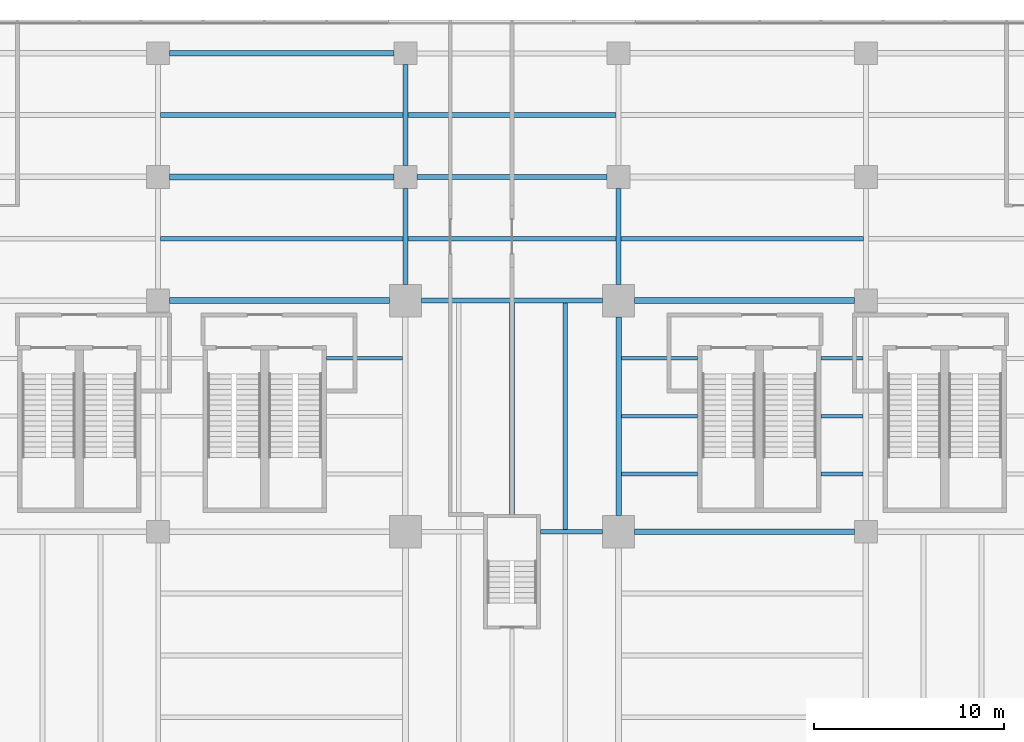
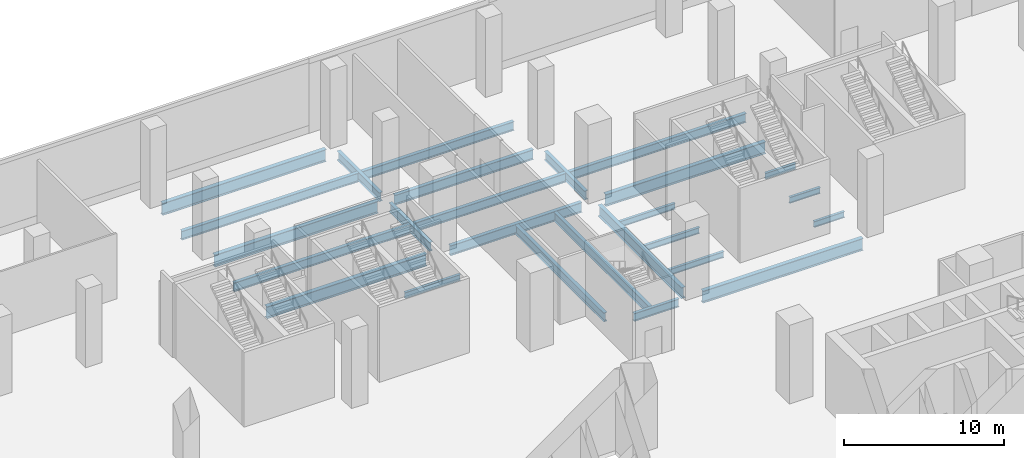
# One storey, part 24 of 41: 26 beams.
"""IFC4 building model written with IfcOpenShell, lengths in metres."""

import ifcopenshell
import ifcopenshell.guid

model = None  # the IFC model being written
_history = None  # IfcOwnerHistory: only IFC2X3 demands one
_inside = {}  # id of a spatial element -> (the spatial element, [elements in it])
_under = {}  # id of a project, library or spatial element -> (it, [spatial elements below it])
_declared = {}  # id of a project -> (the project, [libraries it declares])
_typed = {}  # id of a type object -> (the type object, [elements of that type])
_made_of = {}  # id of a material, layer set ... -> (it, [elements and type objects made of it])


def new_model(schema):
    """Start an empty IFC model of exactly this schema.

    Asked for "IFC4X3", IfcOpenShell would pick the latest addendum, in which some entities
    have other attributes; the version numbers below select the first issue.
    IFC2X3 requires an IfcOwnerHistory on every rooted entity: one is made here for all.
    """
    global model, _history
    if schema == "IFC4X3":
        model = ifcopenshell.file(schema_version=(4, 3, 0, 0))
    else:
        model = ifcopenshell.file(schema=schema)
    _inside.clear()
    _under.clear()
    _declared.clear()
    _typed.clear()
    _made_of.clear()
    _history = None
    if model.schema == "IFC2X3":
        org = make("IfcOrganization", Name="unknown")
        user = make(
            "IfcPersonAndOrganization",
            ThePerson=make("IfcPerson", FamilyName="unknown"),
            TheOrganization=org,
        )
        app = make(
            "IfcApplication",
            ApplicationDeveloper=org,
            Version="unknown",
            ApplicationFullName="unknown",
            ApplicationIdentifier="unknown",
        )
        _history = make(
            "IfcOwnerHistory",
            OwningUser=user,
            OwningApplication=app,
            ChangeAction="ADDED",
            CreationDate=0,
        )
    return model


def make(cls, **values):
    """One entity of the class cls with the attributes given. An attribute that is None is left unset."""
    return model.create_entity(
        cls, **{name: value for name, value in values.items() if value is not None}
    )


def rooted(cls, **values):
    """An entity with a GlobalId (a new one), such as an element, a storey or a relation."""
    return make(cls, GlobalId=ifcopenshell.guid.new(), OwnerHistory=_history, **values)


def si_unit(unit_type, name, prefix=None):
    """IfcSIUnit, for example si_unit("LENGTHUNIT", "METRE", prefix="MILLI")."""
    return make("IfcSIUnit", UnitType=unit_type, Prefix=prefix, Name=name)


def assignment(units):
    """IfcUnitAssignment: the units of a project."""
    return None if units is None else make("IfcUnitAssignment", Units=units)


def point(xyz):
    """IfcCartesianPoint."""
    return None if xyz is None else make("IfcCartesianPoint", Coordinates=xyz)


def direction(xyz):
    """IfcDirection."""
    return None if xyz is None else make("IfcDirection", DirectionRatios=xyz)


def frame(location, z_axis=None, x_axis=None):
    """IfcAxis2Placement3D, a coordinate frame: its origin and axes. An axis left out is left unset."""
    return make(
        "IfcAxis2Placement3D",
        Location=point(location),
        Axis=direction(z_axis),
        RefDirection=direction(x_axis),
    )


def frame_2d(location, x_axis=None):
    """IfcAxis2Placement2D, a coordinate frame in the plane: its origin and x axis."""
    return make(
        "IfcAxis2Placement2D", Location=point(location), RefDirection=direction(x_axis)
    )


def origin():
    """The frame at (0, 0, 0) with its axes left unset."""
    return frame((0.0, 0.0, 0.0))


def origin_2d():
    """The frame at (0, 0) in the plane with its x axis left unset."""
    return frame_2d((0.0, 0.0))


def place(relative_to, where):
    """IfcLocalPlacement: puts the frame where relative to a parent placement (None: the world)."""
    return make(
        "IfcLocalPlacement", PlacementRelTo=relative_to, RelativePlacement=where
    )


def context(
    kind, dimensions, precision=None, world=None, true_north=None, identifier=None
):
    """IfcGeometricRepresentationContext, for example the 3D "Model" context."""
    return make(
        "IfcGeometricRepresentationContext",
        ContextIdentifier=identifier,
        ContextType=kind,
        CoordinateSpaceDimension=dimensions,
        Precision=precision,
        WorldCoordinateSystem=world,
        TrueNorth=true_north,
    )


def subcontext(parent, identifier, kind, view, scale=None):
    """IfcGeometricRepresentationSubContext, for example "Body" below "Model"."""
    return make(
        "IfcGeometricRepresentationSubContext",
        ContextIdentifier=identifier,
        ContextType=kind,
        ParentContext=parent,
        TargetScale=scale,
        TargetView=view,
    )


def project(units=None, contexts=None):
    """IfcProject with its units and contexts."""
    return rooted(
        "IfcProject",
        Name="project",
        RepresentationContexts=contexts,
        UnitsInContext=assignment(units),
    )


def spatial(cls, under=None, at=None, **own):
    """A site, building, storey or space (cls), placed at a placement, below another one or the project."""
    s = rooted(cls, ObjectPlacement=at, **own)
    if under is not None:
        _under.setdefault(under.id(), (under, []))[1].append(s)
    return s


def profile(cls, at=None, kind="AREA", **sizes):
    """A parametric profile (cls). Its sizes go by their IFC names, for example OverallWidth=200.0."""
    return make(cls, ProfileType=kind, Position=at, **sizes)


def i_section(**sizes):
    """IfcIShapeProfileDef."""
    return profile("IfcIShapeProfileDef", **sizes)


def extrude(swept, where, along, depth):
    """IfcExtrudedAreaSolid: the profile swept, set in the frame where, extruded along a direction by depth."""
    return make(
        "IfcExtrudedAreaSolid",
        SweptArea=swept,
        Position=where,
        ExtrudedDirection=direction(along),
        Depth=depth,
    )


def shape(context_of_items, identifier, shape_type, items):
    """IfcShapeRepresentation: the items that make up one representation, for example the "Body"."""
    return make(
        "IfcShapeRepresentation",
        ContextOfItems=context_of_items,
        RepresentationIdentifier=identifier,
        RepresentationType=shape_type,
        Items=items,
    )


def source(mapping_origin, context_of_items, identifier, shape_type, items):
    """IfcRepresentationMap: a shape defined once, which mapped items show again and again."""
    return make(
        "IfcRepresentationMap",
        MappingOrigin=mapping_origin,
        MappedRepresentation=shape(context_of_items, identifier, shape_type, items),
    )


def transform(
    local_origin,
    x_axis=None,
    y_axis=None,
    z_axis=None,
    scale=None,
    scale2=None,
    scale3=None,
    uniform=True,
):
    """IfcCartesianTransformationOperator3D, or its non-uniform kind. x_axis, y_axis, z_axis: its Axis1, 2, 3."""
    if uniform:
        return make(
            "IfcCartesianTransformationOperator3D",
            Axis1=direction(x_axis),
            Axis2=direction(y_axis),
            LocalOrigin=point(local_origin),
            Scale=scale,
            Axis3=direction(z_axis),
        )
    return make(
        "IfcCartesianTransformationOperator3DnonUniform",
        Axis1=direction(x_axis),
        Axis2=direction(y_axis),
        LocalOrigin=point(local_origin),
        Scale=scale,
        Axis3=direction(z_axis),
        Scale2=scale2,
        Scale3=scale3,
    )


def mapped(mapping_source, mapping_target):
    """IfcMappedItem: shows the shape of a source again, moved by a transform."""
    return make(
        "IfcMappedItem", MappingSource=mapping_source, MappingTarget=mapping_target
    )


def material(Name=None, Category=None):
    """IfcMaterial."""
    return make("IfcMaterial", Name=Name, Category=Category)


def material_profile(
    of_material, cross_section, Name=None, Category=None, Priority=None
):
    """IfcMaterialProfile: a cross section and its material."""
    return make(
        "IfcMaterialProfile",
        Name=Name,
        Material=of_material,
        Profile=cross_section,
        Priority=Priority,
        Category=Category,
    )


def profile_set(profiles, Name=None, composite=None):
    """IfcMaterialProfileSet."""
    return make(
        "IfcMaterialProfileSet",
        Name=Name,
        MaterialProfiles=profiles,
        CompositeProfile=composite,
    )


def made_of(thing, what):
    """Note that an element or type object is made of a material, layer set ...; save() writes the relation."""
    if what is not None:
        _made_of.setdefault(what.id(), (what, []))[1].append(thing)
    return thing


def type_object(cls, material=None, **own):
    """A type object (cls), such as IfcWallType, which elements share."""
    return made_of(rooted(cls, **own), material)


def element(
    cls,
    number,
    at=None,
    inside=None,
    cuts=None,
    type_object=None,
    material=None,
    context=None,
    identifier="Body",
    shape_type=None,
    held_by="IfcProductDefinitionShape",
    body=None,
    shapes=None,
    **own,
):
    """One element of the class cls, such as IfcWall. Its Tag is "e" and its number.

    at: its placement. inside: the storey or other place that contains it. cuts: it is an
    opening in that element (IfcRelVoidsElement). A single representation is given by context,
    identifier, shape_type and body (its items); several are given by shapes. held_by: the class
    of the entity that holds the representations. save() writes the other relations.
    """
    e = rooted(cls, Tag="e%d" % number, ObjectPlacement=at, **own)
    if body is not None:
        shapes = [shape(context, identifier, shape_type, body)]
    if shapes is not None:
        e.Representation = make(held_by, Representations=shapes)
    if inside is not None:
        _inside.setdefault(inside.id(), (inside, []))[1].append(e)
    if cuts is not None:
        rooted(
            "IfcRelVoidsElement", RelatingBuildingElement=cuts, RelatedOpeningElement=e
        )
    if type_object is not None:
        _typed.setdefault(type_object.id(), (type_object, []))[1].append(e)
    return made_of(e, material)


def aggregate(whole, parts):
    """IfcRelAggregates: a whole, such as a stair, and the parts it consists of."""
    return rooted("IfcRelAggregates", RelatingObject=whole, RelatedObjects=parts)


def save(model, path):
    """Write the relations noted so far, then the file.

    IfcRelAggregates (storeys below a building ...), IfcRelContainedInSpatialStructure (elements
    in a storey), IfcRelDefinesByType, IfcRelAssociatesMaterial and IfcRelDeclares: one each for
    every whole, place, type object, material and project.
    """
    for whole, parts in _under.values():
        aggregate(whole, parts)
    for where, things in _inside.values():
        rooted(
            "IfcRelContainedInSpatialStructure",
            RelatedElements=things,
            RelatingStructure=where,
        )
    for kind, things in _typed.values():
        rooted("IfcRelDefinesByType", RelatedObjects=things, RelatingType=kind)
    for what, things in _made_of.values():
        rooted("IfcRelAssociatesMaterial", RelatedObjects=things, RelatingMaterial=what)
    for by, libraries in _declared.values():
        rooted("IfcRelDeclares", RelatingContext=by, RelatedDefinitions=libraries)
    model.write(path)


model = new_model("IFC4")

# Units and contexts
model_context = context("Model", 3, precision=1e-05, world=origin(), true_north=direction((0.0, 1.0)))
body_context = subcontext(model_context, "Body", "Model", "MODEL_VIEW")
ifc_project = project(units=[si_unit("LENGTHUNIT", "METRE"), si_unit("AREAUNIT", "SQUARE_METRE"), si_unit("VOLUMEUNIT", "CUBIC_METRE"), si_unit("PLANEANGLEUNIT", "RADIAN"), si_unit("MASSUNIT", "GRAM", prefix="KILO")], contexts=[model_context])

# Site, building, storey
site_placement = place(None, origin())
site = spatial("IfcSite", under=ifc_project, at=site_placement, CompositionType="ELEMENT")
building_placement = place(site_placement, origin())
building = spatial("IfcBuilding", under=site, at=building_placement, Name="Trellis Farm Tower", CompositionType="ELEMENT")
storey_placement = place(building_placement, frame((0.0, 0.0, 8.0)))
storey = spatial("IfcBuildingStorey", under=building, at=storey_placement, Name="L01", CompositionType="ELEMENT", Elevation=8.0)

# Beams
ifc_material = material(Name="Steel S355", Category="steel")
ifc_material_profile_1 = material_profile(ifc_material, i_section(OverallWidth=0.253662109375, OverallDepth=0.68359375, WebThickness=0.012451171875, FlangeThickness=0.021728515625, FilletRadius=0.01513671875, at=origin_2d()), Name="UB 686x254x140")
ifc_profile_set_1 = profile_set([ifc_material_profile_1], Name="Steel S355")
beam_type_1 = type_object("IfcBeamType", Name="UB 686x254x140", PredefinedType="BEAM", material=ifc_profile_set_1)
shared_shape_1 = source(origin(), body_context, "Body", "SweptSolid", [
    extrude(i_section(OverallWidth=0.253662109375, OverallDepth=0.68359375, WebThickness=0.012451171875, FlangeThickness=0.021728515625, FilletRadius=0.01513671875, at=origin_2d()), origin(), (0.0, 0.0, 1.0), 5.2998046875),
])
beam_1_placement = place(storey_placement, frame((-5.60009765625, 37.85009765625, -0.641845703125), z_axis=(0.0, 1.0, 0.0), x_axis=(-1.0, 0.0, 0.0)))
element("IfcBeam", 1, at=beam_1_placement, inside=storey, type_object=beam_type_1, Name="Girder", PredefinedType="BEAM", context=body_context, shape_type="MappedRepresentation", body=[
    mapped(shared_shape_1, transform((0.0, 0.0, 0.0))),
])
ifc_material_profile_2 = material_profile(ifc_material, i_section(OverallWidth=0.305419921875, OverallDepth=0.91845703125, WebThickness=0.017333984375, FlangeThickness=0.02783203125, FilletRadius=0.01904296875, at=origin_2d()), Name="UB 914x305x253")
ifc_profile_set_2 = profile_set([ifc_material_profile_2], Name="Steel S355")
beam_type_2 = type_object("IfcBeamType", Name="UB 914x305x253", PredefinedType="BEAM", material=ifc_profile_set_2)
shared_shape_2 = source(origin(), body_context, "Body", "SweptSolid", [
    extrude(i_section(OverallWidth=0.305419921875, OverallDepth=0.91845703125, WebThickness=0.017333984375, FlangeThickness=0.02783203125, FilletRadius=0.01904296875, at=origin_2d()), origin(), (0.0, 0.0, 1.0), 11.800048828125),
])
for number, where, z_axis, x_axis, name in (
    (2, (-18.0, 37.25, -0.75927734375), (1.0, 0.0, 0.0), (0.0, 1.0, 0.0), "Girder"),
    (3, (-18.0, 43.75, -0.75927734375), (1.0, 0.0, 0.0), (0.0, 1.0, 0.0), "Girder"),
):
    element("IfcBeam", number, at=place(storey_placement, frame(where, z_axis=z_axis, x_axis=x_axis)), inside=storey, type_object=beam_type_2, Name=name, PredefinedType="BEAM", context=body_context, shape_type="MappedRepresentation", body=[
        mapped(shared_shape_2, transform((0.0, 0.0, 0.0))),
    ])
ifc_material_profile_3 = material_profile(ifc_material, i_section(OverallWidth=0.2666015625, OverallDepth=0.76220703125, WebThickness=0.014404296875, FlangeThickness=0.021484375, FilletRadius=0.0166015625, at=origin_2d()), Name="UB 762x267x173")
ifc_profile_set_3 = profile_set([ifc_material_profile_3], Name="Steel S355")
beam_type_3 = type_object("IfcBeamType", Name="UB 762x267x173", PredefinedType="BEAM", material=ifc_profile_set_3)
shared_shape_3 = source(origin(), body_context, "Body", "SweptSolid", [
    extrude(i_section(OverallWidth=0.2666015625, OverallDepth=0.76220703125, WebThickness=0.014404296875, FlangeThickness=0.021484375, FilletRadius=0.0166015625, at=origin_2d()), origin(), (0.0, 0.0, 1.0), 10.0),
])
beam_2_placement = place(storey_placement, frame((-5.0, 37.25, -0.68115234375), z_axis=(1.0, 0.0, 0.0), x_axis=(0.0, 1.0, 0.0)))
element("IfcBeam", 4, at=beam_2_placement, inside=storey, type_object=beam_type_3, Name="Girder", PredefinedType="BEAM", context=body_context, shape_type="MappedRepresentation", body=[
    mapped(shared_shape_3, transform((0.0, 0.0, 0.0))),
])
shared_shape_4 = source(origin(), body_context, "Body", "SweptSolid", [
    extrude(i_section(OverallWidth=0.305419921875, OverallDepth=0.91845703125, WebThickness=0.017333984375, FlangeThickness=0.02783203125, FilletRadius=0.01904296875, at=origin_2d()), origin(), (0.0, 0.0, 1.0), 11.550048828125),
])
for number, where, z_axis, x_axis, name in (
    (5, (6.449951171875, 18.60009765625, -0.75927734375), (1.0, 0.0, 0.0), (0.0, 1.0, 0.0), "Girder"),
    (6, (-18.0, 30.75, -0.75927734375), (1.0, 0.0, 0.0), (0.0, 1.0, 0.0), "Girder"),
    (7, (6.449951171875, 30.75, -0.75927734375), (1.0, 0.0, 0.0), (0.0, 1.0, 0.0), "Girder"),
):
    element("IfcBeam", number, at=place(storey_placement, frame(where, z_axis=z_axis, x_axis=x_axis)), inside=storey, type_object=beam_type_2, Name=name, PredefinedType="BEAM", context=body_context, shape_type="MappedRepresentation", body=[
        mapped(shared_shape_4, transform((0.0, 0.0, 0.0))),
    ])
ifc_material_profile_4 = material_profile(ifc_material, i_section(OverallWidth=0.22900390625, OverallDepth=0.6123046875, WebThickness=0.011962890625, FlangeThickness=0.01953125, FilletRadius=0.0126953125, at=origin_2d()), Name="UB 610x229x125")
ifc_profile_set_4 = profile_set([ifc_material_profile_4], Name="Steel S355")
beam_type_4 = type_object("IfcBeamType", Name="UB 610x229x125", PredefinedType="BEAM", material=ifc_profile_set_4)
shared_shape_5 = source(origin(), body_context, "Body", "SweptSolid", [
    extrude(i_section(OverallWidth=0.22900390625, OverallDepth=0.6123046875, WebThickness=0.011962890625, FlangeThickness=0.01953125, FilletRadius=0.0126953125, at=origin_2d()), origin(), (0.0, 0.0, 1.0), 3.25),
])
beam_3_placement = place(storey_placement, frame((1.5, 18.60009765625, -0.606201171875), z_axis=(1.0, 0.0, 0.0), x_axis=(0.0, 1.0, 0.0)))
element("IfcBeam", 8, at=beam_3_placement, inside=storey, type_object=beam_type_4, Name="Girder", PredefinedType="BEAM", context=body_context, shape_type="MappedRepresentation", body=[
    mapped(shared_shape_5, transform((0.0, 0.0, 0.0))),
])
shared_shape_6 = source(origin(), body_context, "Body", "SweptSolid", [
    extrude(i_section(OverallWidth=0.2666015625, OverallDepth=0.76220703125, WebThickness=0.014404296875, FlangeThickness=0.021484375, FilletRadius=0.0166015625, at=origin_2d()), origin(), (0.0, 0.0, 1.0), 9.5),
])
beam_4_placement = place(storey_placement, frame((-4.75, 30.75, -0.68115234375), z_axis=(1.0, 0.0, 0.0), x_axis=(0.0, 1.0, 0.0)))
element("IfcBeam", 9, at=beam_4_placement, inside=storey, type_object=beam_type_3, Name="Girder", PredefinedType="BEAM", context=body_context, shape_type="MappedRepresentation", body=[
    mapped(shared_shape_6, transform((0.0, 0.0, 0.0))),
])
shared_shape_7 = source(origin(), body_context, "Body", "SweptSolid", [
    extrude(i_section(OverallWidth=0.253662109375, OverallDepth=0.68359375, WebThickness=0.012451171875, FlangeThickness=0.021728515625, FilletRadius=0.01513671875, at=origin_2d()), origin(), (0.0, 0.0, 1.0), 5.0498046875),
])
for number, where, z_axis, x_axis, name in (
    (10, (-5.60009765625, 31.60009765625, -0.641845703125), (0.0, 1.0, 0.0), (-1.0, 0.0, 0.0), "Girder"),
    (11, (5.60009765625, 31.60009765625, -0.641845703125), (0.0, 1.0, 0.0), (-1.0, 0.0, 0.0), "Girder"),
):
    element("IfcBeam", number, at=place(storey_placement, frame(where, z_axis=z_axis, x_axis=x_axis)), inside=storey, type_object=beam_type_1, Name=name, PredefinedType="BEAM", context=body_context, shape_type="MappedRepresentation", body=[
        mapped(shared_shape_7, transform((0.0, 0.0, 0.0))),
    ])
ifc_material_profile_5 = material_profile(ifc_material, i_section(OverallWidth=0.29248046875, OverallDepth=0.8408203125, WebThickness=0.0146484375, FlangeThickness=0.021728515625, FilletRadius=0.017822265625, at=origin_2d()), Name="UB 838x292x194")
ifc_profile_set_5 = profile_set([ifc_material_profile_5], Name="Steel S355")
beam_type_5 = type_object("IfcBeamType", Name="UB 838x292x194", PredefinedType="BEAM", material=ifc_profile_set_5)
shared_shape_8 = source(origin(), body_context, "Body", "SweptSolid", [
    extrude(i_section(OverallWidth=0.29248046875, OverallDepth=0.8408203125, WebThickness=0.0146484375, FlangeThickness=0.021728515625, FilletRadius=0.017822265625, at=origin_2d()), origin(), (0.0, 0.0, 1.0), 10.449951171875),
])
beam_5_placement = place(storey_placement, frame((5.60009765625, 19.449951171875, -0.72021484375), z_axis=(0.0, 1.0, 0.0), x_axis=(-1.0, 0.0, 0.0)))
element("IfcBeam", 12, at=beam_5_placement, inside=storey, type_object=beam_type_5, Name="Girder", PredefinedType="BEAM", context=body_context, shape_type="MappedRepresentation", body=[
    mapped(shared_shape_8, transform((0.0, 0.0, 0.0))),
])
ifc_material_profile_6 = material_profile(ifc_material, i_section(OverallWidth=0.253662109375, OverallDepth=0.68359375, WebThickness=0.012451171875, FlangeThickness=0.021728515625, FilletRadius=0.01513671875, at=origin_2d()), Name="UB 686x254x140")
ifc_profile_set_6 = profile_set([ifc_material_profile_6], Name="Steel S355")
beam_type_6 = type_object("IfcBeamType", Name="UB 686x254x140 joist", PredefinedType="JOIST", material=ifc_profile_set_6)
shared_shape_9 = source(origin(), body_context, "Body", "SweptSolid", [
    extrude(i_section(OverallWidth=0.253662109375, OverallDepth=0.68359375, WebThickness=0.012451171875, FlangeThickness=0.021728515625, FilletRadius=0.01513671875, at=origin_2d()), origin(), (0.0, 0.0, 1.0), 12.746337890625),
])
for number, where, z_axis, x_axis, name in (
    (13, (-18.47314453125, 34.0, -0.641845703125), (1.0, 0.0, 0.0), (0.0, 1.0, 0.0), "Floor beam"),
    (14, (5.726806640625, 34.0, -0.641845703125), (1.0, 0.0, 0.0), (0.0, 1.0, 0.0), "Floor beam"),
    (15, (-18.47314453125, 40.5, -0.641845703125), (1.0, 0.0, 0.0), (0.0, 1.0, 0.0), "Floor beam"),
):
    element("IfcBeam", number, at=place(storey_placement, frame(where, z_axis=z_axis, x_axis=x_axis)), inside=storey, type_object=beam_type_6, Name=name, PredefinedType="JOIST", context=body_context, shape_type="MappedRepresentation", body=[
        mapped(shared_shape_9, transform((0.0, 0.0, 0.0))),
    ])
shared_shape_10 = source(origin(), body_context, "Body", "SweptSolid", [
    extrude(i_section(OverallWidth=0.253662109375, OverallDepth=0.68359375, WebThickness=0.012451171875, FlangeThickness=0.021728515625, FilletRadius=0.01513671875, at=origin_2d()), origin(), (0.0, 0.0, 1.0), 10.9462890625),
])
for number, where, z_axis, x_axis, name in (
    (16, (-5.47314453125, 34.0, -0.641845703125), (1.0, 0.0, 0.0), (0.0, 1.0, 0.0), "Floor beam"),
    (17, (-5.47314453125, 40.5, -0.641845703125), (1.0, 0.0, 0.0), (0.0, 1.0, 0.0), "Floor beam"),
):
    element("IfcBeam", number, at=place(storey_placement, frame(where, z_axis=z_axis, x_axis=x_axis)), inside=storey, type_object=beam_type_6, Name=name, PredefinedType="JOIST", context=body_context, shape_type="MappedRepresentation", body=[
        mapped(shared_shape_10, transform((0.0, 0.0, 0.0))),
    ])
ifc_material_profile_7 = material_profile(ifc_material, i_section(OverallWidth=0.1904296875, OverallDepth=0.45703125, WebThickness=0.009033203125, FlangeThickness=0.014404296875, FilletRadius=0.01025390625, at=origin_2d()), Name="UB 457x191x74")
ifc_profile_set_7 = profile_set([ifc_material_profile_7], Name="Steel S355")
beam_type_7 = type_object("IfcBeamType", Name="UB 457x191x74 joist", PredefinedType="JOIST", material=ifc_profile_set_7)
shared_shape_11 = source(origin(), body_context, "Body", "SweptSolid", [
    extrude(i_section(OverallWidth=0.1904296875, OverallDepth=0.45703125, WebThickness=0.009033203125, FlangeThickness=0.014404296875, FilletRadius=0.01025390625, at=origin_2d()), origin(), (0.0, 0.0, 1.0), 4.00390625),
])
for number, where, z_axis, x_axis, name in (
    (18, (5.74609375, 21.637451171875, -0.528564453125), (1.0, 0.0, 0.0), (0.0, 1.0, 0.0), "Floor beam"),
    (19, (5.74609375, 24.675048828125, -0.528564453125), (1.0, 0.0, 0.0), (0.0, 1.0, 0.0), "Floor beam"),
    (20, (-9.75, 27.71240234375, -0.528564453125), (1.0, 0.0, 0.0), (0.0, 1.0, 0.0), "Floor beam"),
    (21, (5.74609375, 27.71240234375, -0.528564453125), (1.0, 0.0, 0.0), (0.0, 1.0, 0.0), "Floor beam"),
):
    element("IfcBeam", number, at=place(storey_placement, frame(where, z_axis=z_axis, x_axis=x_axis)), inside=storey, type_object=beam_type_7, Name=name, PredefinedType="JOIST", context=body_context, shape_type="MappedRepresentation", body=[
        mapped(shared_shape_11, transform((0.0, 0.0, 0.0))),
    ])
shared_shape_12 = source(origin(), body_context, "Body", "SweptSolid", [
    extrude(i_section(OverallWidth=0.1904296875, OverallDepth=0.45703125, WebThickness=0.009033203125, FlangeThickness=0.014404296875, FilletRadius=0.01025390625, at=origin_2d()), origin(), (0.0, 0.0, 1.0), 2.203857421875),
])
for number, where, z_axis, x_axis, name in (
    (22, (16.25, 21.637451171875, -0.528564453125), (1.0, 0.0, 0.0), (0.0, 1.0, 0.0), "Floor beam"),
    (23, (16.25, 24.675048828125, -0.528564453125), (1.0, 0.0, 0.0), (0.0, 1.0, 0.0), "Floor beam"),
    (24, (16.25, 27.71240234375, -0.528564453125), (1.0, 0.0, 0.0), (0.0, 1.0, 0.0), "Floor beam"),
):
    element("IfcBeam", number, at=place(storey_placement, frame(where, z_axis=z_axis, x_axis=x_axis)), inside=storey, type_object=beam_type_7, Name=name, PredefinedType="JOIST", context=body_context, shape_type="MappedRepresentation", body=[
        mapped(shared_shape_12, transform((0.0, 0.0, 0.0))),
    ])
shared_shape_13 = source(origin(), body_context, "Body", "SweptSolid", [
    extrude(i_section(OverallWidth=0.253662109375, OverallDepth=0.68359375, WebThickness=0.012451171875, FlangeThickness=0.021728515625, FilletRadius=0.01513671875, at=origin_2d()), origin(), (0.0, 0.0, 1.0), 11.902099609375),
])
beam_6_placement = place(storey_placement, frame((2.800048828125, 18.714599609375, -0.641845703125), z_axis=(0.0, 1.0, 0.0), x_axis=(-1.0, 0.0, 0.0)))
element("IfcBeam", 25, at=beam_6_placement, inside=storey, type_object=beam_type_6, Name="Floor beam", PredefinedType="JOIST", context=body_context, shape_type="MappedRepresentation", body=[
    mapped(shared_shape_13, transform((0.0, 0.0, 0.0))),
])
shared_shape_14 = source(origin(), body_context, "Body", "SweptSolid", [
    extrude(i_section(OverallWidth=0.253662109375, OverallDepth=0.68359375, WebThickness=0.012451171875, FlangeThickness=0.021728515625, FilletRadius=0.01513671875, at=origin_2d()), origin(), (0.0, 0.0, 1.0), 11.11669921875),
])
beam_7_placement = place(storey_placement, frame((0.0, 19.5, -0.641845703125), z_axis=(0.0, 1.0, 0.0), x_axis=(-1.0, 0.0, 0.0)))
element("IfcBeam", 26, at=beam_7_placement, inside=storey, type_object=beam_type_6, Name="Floor beam", PredefinedType="JOIST", context=body_context, shape_type="MappedRepresentation", body=[
    mapped(shared_shape_14, transform((0.0, 0.0, 0.0))),
])

save(model, "model.ifc")
